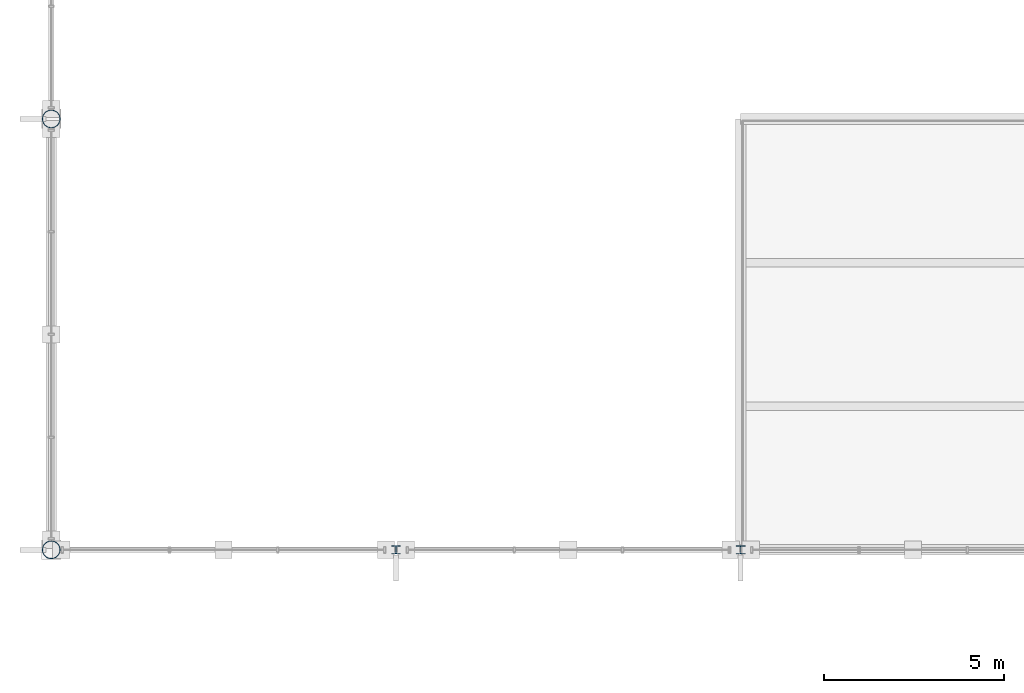
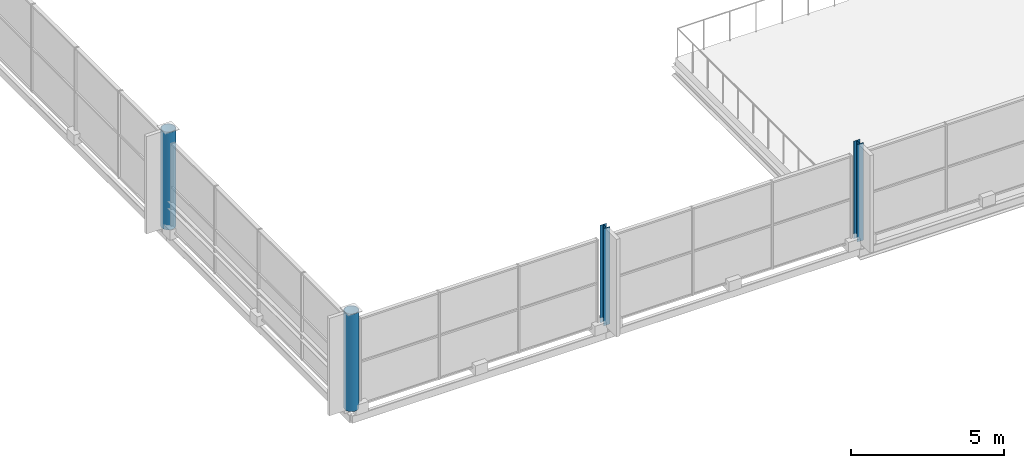
# One storey, part 1 of 117: 4 columns.
"""IFC4 building model written with IfcOpenShell, lengths in metres."""

from ifc_helpers import new_model, si_unit, direction, frame, origin, origin_2d, place, context, subcontext, project, spatial, hollow_circle, i_section, extrude, material, material_profile, profile_set, type_object, element, save


model = new_model("IFC4")

# Units and contexts
model_context = context("Model", 3, precision=1e-05, world=origin(), true_north=direction((0.0, 1.0)))
body_context = subcontext(model_context, "Body", "Model", "MODEL_VIEW")
ifc_project = project(units=[si_unit("LENGTHUNIT", "METRE"), si_unit("AREAUNIT", "SQUARE_METRE"), si_unit("VOLUMEUNIT", "CUBIC_METRE"), si_unit("PLANEANGLEUNIT", "RADIAN"), si_unit("MASSUNIT", "GRAM", prefix="KILO")], contexts=[model_context])

# Site, building, storey
site_placement = place(None, origin())
site = spatial("IfcSite", under=ifc_project, at=site_placement, CompositionType="ELEMENT")
building_placement = place(site_placement, origin())
building = spatial("IfcBuilding", under=site, at=building_placement, Name="Merenkruunu Market Hall", CompositionType="ELEMENT")
storey_placement = place(building_placement, frame((0.0, 0.0, 10.199951171875)))
storey = spatial("IfcBuildingStorey", under=building, at=storey_placement, Name="L02", CompositionType="ELEMENT", Elevation=10.199951171875)

# Columns
ifc_material_1 = material(Name="Steel S355J2", Category="steel")
ifc_material_profile_1 = material_profile(ifc_material_1, i_section(OverallWidth=0.239990234375, OverallDepth=0.22998046875, WebThickness=0.007568359375, FlangeThickness=0.011962890625, FilletRadius=0.02099609375, at=origin_2d()), Name="HEA 240")
ifc_profile_set_1 = profile_set([ifc_material_profile_1], Name="Steel S355J2")
column_type_1 = type_object("IfcColumnType", Name="Structural Column C10", PredefinedType="COLUMN", material=ifc_profile_set_1)
for number, where, z_axis, x_axis, name in (
    (1, (9.60009765625, 15.60009765625, 0.0), (0.0, 0.0, 1.0), (1.0, 0.0, 0.0), "COL-L02-B-03"),
    (2, (19.199951171875, 15.60009765625, 0.0), (0.0, 0.0, 1.0), (1.0, 0.0, 0.0), "COL-L02-C-03"),
):
    element("IfcColumn", number, at=place(storey_placement, frame(where, z_axis=z_axis, x_axis=x_axis)), inside=storey, type_object=column_type_1, Name=name, PredefinedType="COLUMN", context=body_context, shape_type="SweptSolid", body=[
        extrude(i_section(OverallWidth=0.239990234375, OverallDepth=0.22998046875, WebThickness=0.007568359375, FlangeThickness=0.011962890625, FilletRadius=0.02099609375, at=origin_2d()), origin(), (0.0, 0.0, 1.0), 3.900146484375),
    ])
ifc_material_2 = material(Name="Steel S355ML", Category="steel")
ifc_material_profile_2 = material_profile(ifc_material_2, hollow_circle(Radius=0.25390625, WallThickness=0.02001953125, at=origin_2d()), Name="CHS 508x20")
ifc_profile_set_2 = profile_set([ifc_material_profile_2], Name="Steel S355ML")
column_type_2 = type_object("IfcColumnType", Name="Structural Column C11", PredefinedType="COLUMN", material=ifc_profile_set_2)
for number, where, z_axis, x_axis, name in (
    (3, (0.0, 15.60009765625, 0.0), (0.0, 0.0, 1.0), (1.0, 0.0, 0.0), "COL-L02-A-03"),
    (4, (0.0, 27.60009765625, 0.0), (0.0, 0.0, 1.0), (1.0, 0.0, 0.0), "COL-L02-A-04"),
):
    element("IfcColumn", number, at=place(storey_placement, frame(where, z_axis=z_axis, x_axis=x_axis)), inside=storey, type_object=column_type_2, Name=name, PredefinedType="COLUMN", context=body_context, shape_type="SweptSolid", body=[
        extrude(hollow_circle(Radius=0.25390625, WallThickness=0.02001953125, at=origin_2d()), origin(), (0.0, 0.0, 1.0), 3.900146484375),
    ])

save(model, "model.ifc")
